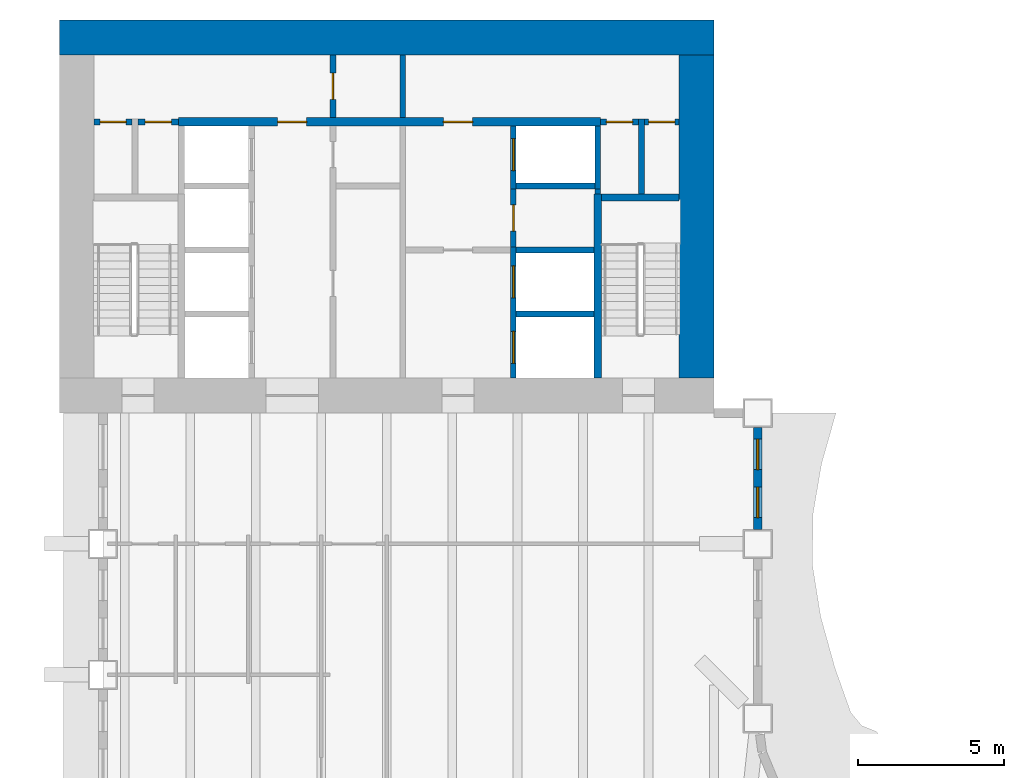
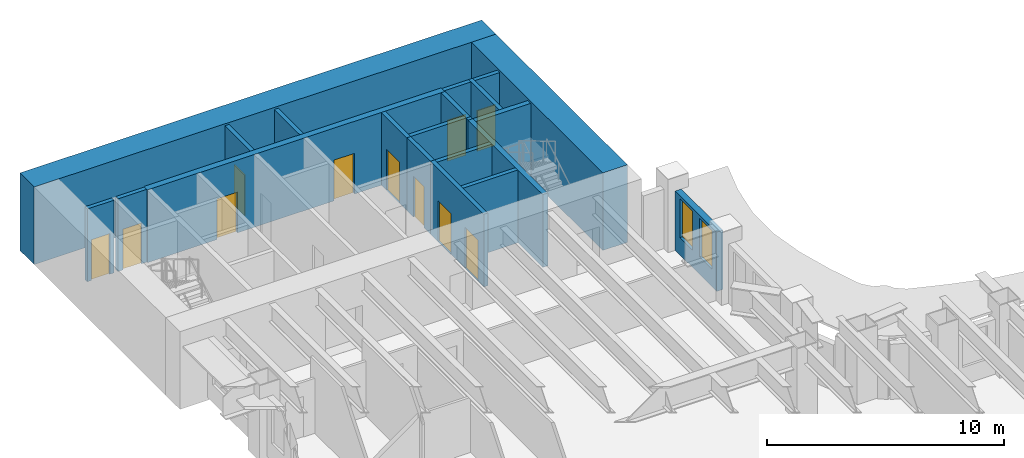
# One storey, part 9 of 16: 21 walls, 11 doors, 2 windows, 13 openings.
"""IFC4 building model written with IfcOpenShell, lengths in metres."""

import ifcopenshell
import ifcopenshell.guid

model = None  # the IFC model being written
_history = None  # IfcOwnerHistory: only IFC2X3 demands one
_inside = {}  # id of a spatial element -> (the spatial element, [elements in it])
_under = {}  # id of a project, library or spatial element -> (it, [spatial elements below it])
_declared = {}  # id of a project -> (the project, [libraries it declares])
_typed = {}  # id of a type object -> (the type object, [elements of that type])
_made_of = {}  # id of a material, layer set ... -> (it, [elements and type objects made of it])


def new_model(schema):
    """Start an empty IFC model of exactly this schema.

    Asked for "IFC4X3", IfcOpenShell would pick the latest addendum, in which some entities
    have other attributes; the version numbers below select the first issue.
    IFC2X3 requires an IfcOwnerHistory on every rooted entity: one is made here for all.
    """
    global model, _history
    if schema == "IFC4X3":
        model = ifcopenshell.file(schema_version=(4, 3, 0, 0))
    else:
        model = ifcopenshell.file(schema=schema)
    _inside.clear()
    _under.clear()
    _declared.clear()
    _typed.clear()
    _made_of.clear()
    _history = None
    if model.schema == "IFC2X3":
        org = make("IfcOrganization", Name="unknown")
        user = make(
            "IfcPersonAndOrganization",
            ThePerson=make("IfcPerson", FamilyName="unknown"),
            TheOrganization=org,
        )
        app = make(
            "IfcApplication",
            ApplicationDeveloper=org,
            Version="unknown",
            ApplicationFullName="unknown",
            ApplicationIdentifier="unknown",
        )
        _history = make(
            "IfcOwnerHistory",
            OwningUser=user,
            OwningApplication=app,
            ChangeAction="ADDED",
            CreationDate=0,
        )
    return model


def make(cls, **values):
    """One entity of the class cls with the attributes given. An attribute that is None is left unset."""
    return model.create_entity(
        cls, **{name: value for name, value in values.items() if value is not None}
    )


def rooted(cls, **values):
    """An entity with a GlobalId (a new one), such as an element, a storey or a relation."""
    return make(cls, GlobalId=ifcopenshell.guid.new(), OwnerHistory=_history, **values)


def si_unit(unit_type, name, prefix=None):
    """IfcSIUnit, for example si_unit("LENGTHUNIT", "METRE", prefix="MILLI")."""
    return make("IfcSIUnit", UnitType=unit_type, Prefix=prefix, Name=name)


def assignment(units):
    """IfcUnitAssignment: the units of a project."""
    return None if units is None else make("IfcUnitAssignment", Units=units)


def point(xyz):
    """IfcCartesianPoint."""
    return None if xyz is None else make("IfcCartesianPoint", Coordinates=xyz)


def direction(xyz):
    """IfcDirection."""
    return None if xyz is None else make("IfcDirection", DirectionRatios=xyz)


def frame(location, z_axis=None, x_axis=None):
    """IfcAxis2Placement3D, a coordinate frame: its origin and axes. An axis left out is left unset."""
    return make(
        "IfcAxis2Placement3D",
        Location=point(location),
        Axis=direction(z_axis),
        RefDirection=direction(x_axis),
    )


def frame_2d(location, x_axis=None):
    """IfcAxis2Placement2D, a coordinate frame in the plane: its origin and x axis."""
    return make(
        "IfcAxis2Placement2D", Location=point(location), RefDirection=direction(x_axis)
    )


def origin():
    """The frame at (0, 0, 0) with its axes left unset."""
    return frame((0.0, 0.0, 0.0))


def place(relative_to, where):
    """IfcLocalPlacement: puts the frame where relative to a parent placement (None: the world)."""
    return make(
        "IfcLocalPlacement", PlacementRelTo=relative_to, RelativePlacement=where
    )


def context(
    kind, dimensions, precision=None, world=None, true_north=None, identifier=None
):
    """IfcGeometricRepresentationContext, for example the 3D "Model" context."""
    return make(
        "IfcGeometricRepresentationContext",
        ContextIdentifier=identifier,
        ContextType=kind,
        CoordinateSpaceDimension=dimensions,
        Precision=precision,
        WorldCoordinateSystem=world,
        TrueNorth=true_north,
    )


def subcontext(parent, identifier, kind, view, scale=None):
    """IfcGeometricRepresentationSubContext, for example "Body" below "Model"."""
    return make(
        "IfcGeometricRepresentationSubContext",
        ContextIdentifier=identifier,
        ContextType=kind,
        ParentContext=parent,
        TargetScale=scale,
        TargetView=view,
    )


def project(units=None, contexts=None):
    """IfcProject with its units and contexts."""
    return rooted(
        "IfcProject",
        Name="project",
        RepresentationContexts=contexts,
        UnitsInContext=assignment(units),
    )


def spatial(cls, under=None, at=None, **own):
    """A site, building, storey or space (cls), placed at a placement, below another one or the project."""
    s = rooted(cls, ObjectPlacement=at, **own)
    if under is not None:
        _under.setdefault(under.id(), (under, []))[1].append(s)
    return s


def profile(cls, at=None, kind="AREA", **sizes):
    """A parametric profile (cls). Its sizes go by their IFC names, for example OverallWidth=200.0."""
    return make(cls, ProfileType=kind, Position=at, **sizes)


def rectangle(**sizes):
    """IfcRectangleProfileDef."""
    return profile("IfcRectangleProfileDef", **sizes)


def extrude(swept, where, along, depth):
    """IfcExtrudedAreaSolid: the profile swept, set in the frame where, extruded along a direction by depth."""
    return make(
        "IfcExtrudedAreaSolid",
        SweptArea=swept,
        Position=where,
        ExtrudedDirection=direction(along),
        Depth=depth,
    )


def shape(context_of_items, identifier, shape_type, items):
    """IfcShapeRepresentation: the items that make up one representation, for example the "Body"."""
    return make(
        "IfcShapeRepresentation",
        ContextOfItems=context_of_items,
        RepresentationIdentifier=identifier,
        RepresentationType=shape_type,
        Items=items,
    )


def material(Name=None, Category=None):
    """IfcMaterial."""
    return make("IfcMaterial", Name=Name, Category=Category)


def layer(
    of_material, thickness, ventilated=None, Name=None, Category=None, Priority=None
):
    """IfcMaterialLayer: one layer of a wall or slab, of a material (None: an air gap)."""
    return make(
        "IfcMaterialLayer",
        Material=of_material,
        LayerThickness=thickness,
        IsVentilated=ventilated,
        Name=Name,
        Category=Category,
        Priority=Priority,
    )


def layer_set(layers, Name=None):
    """IfcMaterialLayerSet."""
    return make("IfcMaterialLayerSet", MaterialLayers=layers, LayerSetName=Name)


def made_of(thing, what):
    """Note that an element or type object is made of a material, layer set ...; save() writes the relation."""
    if what is not None:
        _made_of.setdefault(what.id(), (what, []))[1].append(thing)
    return thing


def type_object(cls, material=None, **own):
    """A type object (cls), such as IfcWallType, which elements share."""
    return made_of(rooted(cls, **own), material)


def element(
    cls,
    number,
    at=None,
    inside=None,
    cuts=None,
    type_object=None,
    material=None,
    context=None,
    identifier="Body",
    shape_type=None,
    held_by="IfcProductDefinitionShape",
    body=None,
    shapes=None,
    **own,
):
    """One element of the class cls, such as IfcWall. Its Tag is "e" and its number.

    at: its placement. inside: the storey or other place that contains it. cuts: it is an
    opening in that element (IfcRelVoidsElement). A single representation is given by context,
    identifier, shape_type and body (its items); several are given by shapes. held_by: the class
    of the entity that holds the representations. save() writes the other relations.
    """
    e = rooted(cls, Tag="e%d" % number, ObjectPlacement=at, **own)
    if body is not None:
        shapes = [shape(context, identifier, shape_type, body)]
    if shapes is not None:
        e.Representation = make(held_by, Representations=shapes)
    if inside is not None:
        _inside.setdefault(inside.id(), (inside, []))[1].append(e)
    if cuts is not None:
        rooted(
            "IfcRelVoidsElement", RelatingBuildingElement=cuts, RelatedOpeningElement=e
        )
    if type_object is not None:
        _typed.setdefault(type_object.id(), (type_object, []))[1].append(e)
    return made_of(e, material)


def fill(opening, filler):
    """IfcRelFillsElement: the door or window that sits in an opening."""
    return rooted(
        "IfcRelFillsElement",
        RelatingOpeningElement=opening,
        RelatedBuildingElement=filler,
    )


def aggregate(whole, parts):
    """IfcRelAggregates: a whole, such as a stair, and the parts it consists of."""
    return rooted("IfcRelAggregates", RelatingObject=whole, RelatedObjects=parts)


def save(model, path):
    """Write the relations noted so far, then the file.

    IfcRelAggregates (storeys below a building ...), IfcRelContainedInSpatialStructure (elements
    in a storey), IfcRelDefinesByType, IfcRelAssociatesMaterial and IfcRelDeclares: one each for
    every whole, place, type object, material and project.
    """
    for whole, parts in _under.values():
        aggregate(whole, parts)
    for where, things in _inside.values():
        rooted(
            "IfcRelContainedInSpatialStructure",
            RelatedElements=things,
            RelatingStructure=where,
        )
    for kind, things in _typed.values():
        rooted("IfcRelDefinesByType", RelatedObjects=things, RelatingType=kind)
    for what, things in _made_of.values():
        rooted("IfcRelAssociatesMaterial", RelatedObjects=things, RelatingMaterial=what)
    for by, libraries in _declared.values():
        rooted("IfcRelDeclares", RelatingContext=by, RelatedDefinitions=libraries)
    model.write(path)


model = new_model("IFC4")

# Units and contexts
model_context = context("Model", 3, precision=1e-05, world=origin(), true_north=direction((0.0, 1.0)))
body_context = subcontext(model_context, "Body", "Model", "MODEL_VIEW")
ifc_project = project(units=[si_unit("LENGTHUNIT", "METRE"), si_unit("AREAUNIT", "SQUARE_METRE"), si_unit("VOLUMEUNIT", "CUBIC_METRE"), si_unit("PLANEANGLEUNIT", "RADIAN"), si_unit("MASSUNIT", "GRAM", prefix="KILO")], contexts=[model_context])

# Site, building, storey
site_placement = place(None, origin())
site = spatial("IfcSite", under=ifc_project, at=site_placement, CompositionType="ELEMENT")
building_placement = place(site_placement, origin())
building = spatial("IfcBuilding", under=site, at=building_placement, Name="Sennacour Bend Tower", CompositionType="ELEMENT")
storey_placement = place(building_placement, frame((0.0, 0.0, 127.0)))
storey = spatial("IfcBuildingStorey", under=building, at=storey_placement, Name="L29", CompositionType="ELEMENT", Elevation=127.0)

# Walls
ifc_material_1 = material(Name="Concrete C80/95", Category="concrete")
ifc_layer_1 = layer(ifc_material_1, 1.199951171875, Name="Concrete C80/95", Category="concrete")
ifc_layer_set_1 = layer_set([ifc_layer_1], Name="Concrete C80/95")
wall_type_1 = type_object("IfcWallType", Name="Core wall 1200 C80/95", PredefinedType="SHEAR", material=ifc_layer_set_1)
wall_1_placement = place(storey_placement, frame((0.0, 48.89990234375, -0.14990234375), z_axis=(0.0, 0.0, 1.0), x_axis=(1.0, 0.0, 0.0)))
element("IfcWall", 1, at=wall_1_placement, inside=storey, type_object=wall_type_1, Name="Core B wall L29 N", PredefinedType="SHEAR", context=body_context, shape_type="SweptSolid", body=[
    extrude(rectangle(XDim=22.5, YDim=1.199951171875, at=frame_2d((11.25, 0.0))), origin(), (0.0, 0.0, 1.0), 4.0),
])
wall_2_placement = place(storey_placement, frame((21.89990234375, 37.199951171875, -0.14990234375), z_axis=(0.0, 0.0, 1.0), x_axis=(0.0, 1.0, 0.0)))
element("IfcWall", 2, at=wall_2_placement, inside=storey, type_object=wall_type_1, Name="Core B wall L29 E", PredefinedType="SHEAR", context=body_context, shape_type="SweptSolid", body=[
    extrude(rectangle(XDim=11.10009765625, YDim=1.199951171875, at=frame_2d((5.550048828125, 0.0))), origin(), (0.0, 0.0, 1.0), 4.0),
])

# Wall, opening, door
ifc_material_2 = material(Name="Fire-rated plasterboard partition on steel studs", Category="steel")
ifc_layer_2 = layer(ifc_material_2, 0.199951171875, Name="Fire-rated plasterboard partition on steel studs", Category="steel")
ifc_layer_set_2 = layer_set([ifc_layer_2], Name="Fire-rated plasterboard partition on steel studs")
wall_type_2 = type_object("IfcWallType", Name="Rated partition 200", PredefinedType="PARTITIONING", material=ifc_layer_set_2)
wall_3_placement = place(storey_placement, frame((9.39990234375, 46.14990234375, 0.0), z_axis=(0.0, 0.0, 1.0), x_axis=(0.0, 1.0, 0.0)))
wall_3 = element("IfcWall", 3, at=wall_3_placement, inside=storey, type_object=wall_type_2, Name="P-L29-W012b", PredefinedType="PARTITIONING", context=body_context, shape_type="SweptSolid", body=[
    extrude(rectangle(XDim=2.150146484375, YDim=0.199951171875, at=frame_2d((1.0751953125, 0.0))), origin(), (0.0, 0.0, 1.0), 3.75),
])
opening_1_placement = place(wall_3_placement, frame((0.625, 0.0, 0.0)))
opening_1 = element("IfcOpeningElement", 4, at=opening_1_placement, cuts=wall_3, Name="Opening SV", PredefinedType="OPENING", context=body_context, shape_type="SweptSolid", body=[
    extrude(rectangle(XDim=0.89990234375, YDim=2.10009765625, at=frame_2d((0.449951171875, 1.050048828125))), frame((0.0, 0.10986328125, 0.0), z_axis=(0.0, -1.0, 0.0), x_axis=(1.0, 0.0, 0.0)), (0.0, 0.0, 1.0), 0.219970703125),
])
ifc_material_3 = material(Name="Painted steel", Category="steel")
door_type_1 = type_object("IfcDoorType", Name="DR-SERVICE-900", OperationType="NOTDEFINED", PredefinedType="DOOR", material=ifc_material_3)
door_1_placement = place(opening_1_placement, origin())
door_1 = element("IfcDoor", 5, at=door_1_placement, inside=storey, type_object=door_type_1, Name="Door", OperationType="SINGLE_SWING_LEFT", OverallHeight=2.10009765625, OverallWidth=0.89990234375, PredefinedType="DOOR", context=body_context, shape_type="SweptSolid", body=[
    extrude(rectangle(XDim=0.89990234375, YDim=2.10009765625, at=frame_2d((0.449951171875, 1.050048828125))), frame((0.0, 0.02490234375, 0.0), z_axis=(0.0, -1.0, 0.0), x_axis=(1.0, 0.0, 0.0)), (0.0, 0.0, 1.0), 0.050048828125),
])
fill(opening_1, door_1)

# Wall
wall_4_placement = place(storey_placement, frame((11.800048828125, 46.14990234375, 0.0), z_axis=(0.0, 0.0, 1.0), x_axis=(0.0, 1.0, 0.0)))
element("IfcWall", 6, at=wall_4_placement, inside=storey, type_object=wall_type_2, Name="P-L29-W014b", PredefinedType="PARTITIONING", context=body_context, shape_type="SweptSolid", body=[
    extrude(rectangle(XDim=2.150146484375, YDim=0.199951171875, at=frame_2d((1.0751953125, 0.0))), origin(), (0.0, 0.0, 1.0), 3.75),
])

# Wall, opening, door
wall_5_placement = place(storey_placement, frame((15.60009765625, 41.699951171875, 0.0), z_axis=(0.0, 0.0, 1.0), x_axis=(0.0, 1.0, 0.0)))
wall_5 = element("IfcWall", 7, at=wall_5_placement, inside=storey, type_object=wall_type_2, Name="P-L29-W017", PredefinedType="PARTITIONING", context=body_context, shape_type="SweptSolid", body=[
    extrude(rectangle(XDim=2.0, YDim=0.199951171875, at=frame_2d((1.0, 0.0))), origin(), (0.0, 0.0, 1.0), 3.75),
])
opening_2_placement = place(wall_5_placement, frame((0.550048828125, 0.0, 0.0)))
opening_2 = element("IfcOpeningElement", 8, at=opening_2_placement, cuts=wall_5, Name="Opening SV", PredefinedType="OPENING", context=body_context, shape_type="SweptSolid", body=[
    extrude(rectangle(XDim=0.89990234375, YDim=2.10009765625, at=frame_2d((0.449951171875, 1.050048828125))), frame((0.0, 0.10986328125, 0.0), z_axis=(0.0, -1.0, 0.0), x_axis=(1.0, 0.0, 0.0)), (0.0, 0.0, 1.0), 0.219970703125),
])
door_2_placement = place(opening_2_placement, origin())
door_2 = element("IfcDoor", 9, at=door_2_placement, inside=storey, type_object=door_type_1, Name="Door", OperationType="SINGLE_SWING_RIGHT", OverallHeight=2.10009765625, OverallWidth=0.89990234375, PredefinedType="DOOR", context=body_context, shape_type="SweptSolid", body=[
    extrude(rectangle(XDim=0.89990234375, YDim=2.10009765625, at=frame_2d((0.449951171875, 1.050048828125))), frame((0.0, 0.02490234375, 0.0), z_axis=(0.0, -1.0, 0.0), x_axis=(1.0, 0.0, 0.0)), (0.0, 0.0, 1.0), 0.050048828125),
])
fill(opening_2, door_2)

# Walls
wall_6_placement = place(storey_placement, frame((18.5, 43.52490234375, 0.0), z_axis=(0.0, 0.0, 1.0), x_axis=(0.0, 1.0, 0.0)))
element("IfcWall", 10, at=wall_6_placement, inside=storey, type_object=wall_type_2, Name="P-L29-W020", PredefinedType="PARTITIONING", context=body_context, shape_type="SweptSolid", body=[
    extrude(rectangle(XDim=0.175048828125, YDim=0.199951171875, at=frame_2d((0.08740234375, 0.0))), origin(), (0.0, 0.0, 1.0), 3.75),
])
wall_7_placement = place(storey_placement, frame((20.0, 43.52490234375, 0.0), z_axis=(0.0, 0.0, 1.0), x_axis=(0.0, 1.0, 0.0)))
element("IfcWall", 11, at=wall_7_placement, inside=storey, type_object=wall_type_2, Name="P-L29-W022", PredefinedType="PARTITIONING", context=body_context, shape_type="SweptSolid", body=[
    extrude(rectangle(XDim=2.5751953125, YDim=0.199951171875, at=frame_2d((1.28759765625, 0.0))), origin(), (0.0, 0.0, 1.0), 3.75),
])

# Wall, opening, door
wall_8_placement = place(storey_placement, frame((1.199951171875, 46.0, 0.0), z_axis=(0.0, 0.0, 1.0), x_axis=(1.0, 0.0, 0.0)))
wall_8 = element("IfcWall", 12, at=wall_8_placement, inside=storey, type_object=wall_type_2, Name="P-L29-W086a", PredefinedType="PARTITIONING", context=body_context, shape_type="SweptSolid", body=[
    extrude(rectangle(XDim=1.300048828125, YDim=0.199951171875, at=frame_2d((0.64990234375, 0.0))), origin(), (0.0, 0.0, 1.0), 3.75),
])
opening_3_placement = place(wall_8_placement, frame((0.199951171875, 0.0, 0.0)))
opening_3 = element("IfcOpeningElement", 13, at=opening_3_placement, cuts=wall_8, Name="Opening SV", PredefinedType="OPENING", context=body_context, shape_type="SweptSolid", body=[
    extrude(rectangle(XDim=0.89990234375, YDim=2.10009765625, at=frame_2d((0.449951171875, 1.050048828125))), frame((0.0, 0.10986328125, 0.0), z_axis=(0.0, -1.0, 0.0), x_axis=(1.0, 0.0, 0.0)), (0.0, 0.0, 1.0), 0.219970703125),
])
door_3_placement = place(opening_3_placement, origin())
door_3 = element("IfcDoor", 14, at=door_3_placement, inside=storey, type_object=door_type_1, Name="Door", OperationType="SINGLE_SWING_LEFT", OverallHeight=2.10009765625, OverallWidth=0.89990234375, PredefinedType="DOOR", context=body_context, shape_type="SweptSolid", body=[
    extrude(rectangle(XDim=0.89990234375, YDim=2.10009765625, at=frame_2d((0.449951171875, 1.050048828125))), frame((0.0, 0.02490234375, 0.0), z_axis=(0.0, -1.0, 0.0), x_axis=(1.0, 0.0, 0.0)), (0.0, 0.0, 1.0), 0.050048828125),
])
fill(opening_3, door_3)

wall_9_placement = place(storey_placement, frame((2.699951171875, 46.0, 0.0), z_axis=(0.0, 0.0, 1.0), x_axis=(1.0, 0.0, 0.0)))
wall_9 = element("IfcWall", 15, at=wall_9_placement, inside=storey, type_object=wall_type_2, Name="P-L29-W086b", PredefinedType="PARTITIONING", context=body_context, shape_type="SweptSolid", body=[
    extrude(rectangle(XDim=1.400146484375, YDim=0.199951171875, at=frame_2d((0.7001953125, 0.0))), origin(), (0.0, 0.0, 1.0), 3.75),
])
opening_4_placement = place(wall_9_placement, frame((0.25, 0.0, 0.0)))
opening_4 = element("IfcOpeningElement", 16, at=opening_4_placement, cuts=wall_9, Name="Opening WD", PredefinedType="OPENING", context=body_context, shape_type="SweptSolid", body=[
    extrude(rectangle(XDim=0.89990234375, YDim=2.10009765625, at=frame_2d((0.449951171875, 1.050048828125))), frame((0.0, 0.10986328125, 0.0), z_axis=(0.0, -1.0, 0.0), x_axis=(1.0, 0.0, 0.0)), (0.0, 0.0, 1.0), 0.219970703125),
])
ifc_material_4 = material(Name="Timber", Category="wood")
door_type_2 = type_object("IfcDoorType", Name="DR-WC-900", OperationType="NOTDEFINED", PredefinedType="DOOR", material=ifc_material_4)
door_4_placement = place(opening_4_placement, origin())
door_4 = element("IfcDoor", 17, at=door_4_placement, inside=storey, type_object=door_type_2, Name="Door", OperationType="SINGLE_SWING_LEFT", OverallHeight=2.10009765625, OverallWidth=0.89990234375, PredefinedType="DOOR", context=body_context, shape_type="SweptSolid", body=[
    extrude(rectangle(XDim=0.89990234375, YDim=2.10009765625, at=frame_2d((0.449951171875, 1.050048828125))), frame((0.0, 0.02490234375, 0.0), z_axis=(0.0, -1.0, 0.0), x_axis=(1.0, 0.0, 0.0)), (0.0, 0.0, 1.0), 0.050048828125),
])
fill(opening_4, door_4)

wall_10_placement = place(storey_placement, frame((18.60009765625, 46.0, 0.0), z_axis=(0.0, 0.0, 1.0), x_axis=(1.0, 0.0, 0.0)))
wall_10 = element("IfcWall", 18, at=wall_10_placement, inside=storey, type_object=wall_type_2, Name="P-L29-W088a", PredefinedType="PARTITIONING", context=body_context, shape_type="SweptSolid", body=[
    extrude(rectangle(XDim=1.2998046875, YDim=0.199951171875, at=frame_2d((0.64990234375, 0.0))), origin(), (0.0, 0.0, 1.0), 3.75),
])
opening_5_placement = place(wall_10_placement, frame((0.199951171875, 0.0, 0.0)))
opening_5 = element("IfcOpeningElement", 19, at=opening_5_placement, cuts=wall_10, Name="Opening SV", PredefinedType="OPENING", context=body_context, shape_type="SweptSolid", body=[
    extrude(rectangle(XDim=0.89990234375, YDim=2.10009765625, at=frame_2d((0.449951171875, 1.050048828125))), frame((0.0, 0.10986328125, 0.0), z_axis=(0.0, -1.0, 0.0), x_axis=(1.0, 0.0, 0.0)), (0.0, 0.0, 1.0), 0.219970703125),
])
door_5_placement = place(opening_5_placement, origin())
door_5 = element("IfcDoor", 20, at=door_5_placement, inside=storey, type_object=door_type_1, Name="Door", OperationType="SINGLE_SWING_LEFT", OverallHeight=2.10009765625, OverallWidth=0.89990234375, PredefinedType="DOOR", context=body_context, shape_type="SweptSolid", body=[
    extrude(rectangle(XDim=0.89990234375, YDim=2.10009765625, at=frame_2d((0.449951171875, 1.050048828125))), frame((0.0, 0.02490234375, 0.0), z_axis=(0.0, -1.0, 0.0), x_axis=(1.0, 0.0, 0.0)), (0.0, 0.0, 1.0), 0.050048828125),
])
fill(opening_5, door_5)

wall_11_placement = place(storey_placement, frame((20.10009765625, 46.0, 0.0), z_axis=(0.0, 0.0, 1.0), x_axis=(1.0, 0.0, 0.0)))
wall_11 = element("IfcWall", 21, at=wall_11_placement, inside=storey, type_object=wall_type_2, Name="P-L29-W088b", PredefinedType="PARTITIONING", context=body_context, shape_type="SweptSolid", body=[
    extrude(rectangle(XDim=1.199951171875, YDim=0.199951171875, at=frame_2d((0.60009765625, 0.0))), origin(), (0.0, 0.0, 1.0), 3.75),
])
opening_6_placement = place(wall_11_placement, frame((0.14990234375, 0.0, 0.0)))
opening_6 = element("IfcOpeningElement", 22, at=opening_6_placement, cuts=wall_11, Name="Opening SV", PredefinedType="OPENING", context=body_context, shape_type="SweptSolid", body=[
    extrude(rectangle(XDim=0.89990234375, YDim=2.10009765625, at=frame_2d((0.449951171875, 1.050048828125))), frame((0.0, 0.10986328125, 0.0), z_axis=(0.0, -1.0, 0.0), x_axis=(1.0, 0.0, 0.0)), (0.0, 0.0, 1.0), 0.219970703125),
])
door_6_placement = place(opening_6_placement, origin())
door_6 = element("IfcDoor", 23, at=door_6_placement, inside=storey, type_object=door_type_1, Name="Door", OperationType="SINGLE_SWING_LEFT", OverallHeight=2.10009765625, OverallWidth=0.89990234375, PredefinedType="DOOR", context=body_context, shape_type="SweptSolid", body=[
    extrude(rectangle(XDim=0.89990234375, YDim=2.10009765625, at=frame_2d((0.449951171875, 1.050048828125))), frame((0.0, 0.02490234375, 0.0), z_axis=(0.0, -1.0, 0.0), x_axis=(1.0, 0.0, 0.0)), (0.0, 0.0, 1.0), 0.050048828125),
])
fill(opening_6, door_6)

# Wall, openings, windows
ifc_material_5 = material(Name="Warm limestone cladding", Category="masonry")
ifc_layer_3 = layer(ifc_material_5, 0.050048828125, Name="Warm limestone cladding", Category="masonry")
ifc_material_6 = material(Name="Precast concrete C40/50", Category="concrete")
ifc_layer_4 = layer(ifc_material_6, 0.25, Name="Precast concrete C40/50", Category="concrete")
ifc_layer_set_3 = layer_set([ifc_layer_3, ifc_layer_4], Name="Precast concrete C40/50 with limestone cladding")
wall_type_3 = type_object("IfcWallType", Name="STONE-CLAD PRECAST SPANDREL 300", PredefinedType="STANDARD", material=ifc_layer_set_3)
wall_12_placement = place(storey_placement, frame((24.0, 32.0, 0.0), z_axis=(0.0, 0.0, 1.0), x_axis=(0.0, 1.0, 0.0)))
wall_12 = element("IfcWall", 24, at=wall_12_placement, inside=storey, type_object=wall_type_3, Name="Stone spandrel and pier wall L29 13.01", PredefinedType="STANDARD", context=body_context, shape_type="SweptSolid", body=[
    extrude(rectangle(XDim=3.5, YDim=0.300048828125, at=frame_2d((1.75, 0.0))), origin(), (0.0, 0.0, 1.0), 3.053955078125),
])
opening_7_placement = place(wall_12_placement, frame((0.39990234375, 0.0, 0.89990234375)))
opening_7 = element("IfcOpeningElement", 25, at=opening_7_placement, cuts=wall_12, Name="Opening W13", PredefinedType="OPENING", context=body_context, shape_type="SweptSolid", body=[
    extrude(rectangle(XDim=1.050048828125, YDim=2.0, at=frame_2d((0.52490234375, 1.0))), frame((0.0, 0.16015625, 0.0), z_axis=(0.0, -1.0, 0.0), x_axis=(1.0, 0.0, 0.0)), (0.0, 0.0, 1.0), 0.320068359375),
])
opening_8_placement = place(wall_12_placement, frame((2.050048828125, 0.0, 0.89990234375)))
opening_8 = element("IfcOpeningElement", 26, at=opening_8_placement, cuts=wall_12, Name="Opening W13", PredefinedType="OPENING", context=body_context, shape_type="SweptSolid", body=[
    extrude(rectangle(XDim=1.050048828125, YDim=2.0, at=frame_2d((0.52490234375, 1.0))), frame((0.0, 0.16015625, 0.0), z_axis=(0.0, -1.0, 0.0), x_axis=(1.0, 0.0, 0.0)), (0.0, 0.0, 1.0), 0.320068359375),
])
ifc_material_7 = material(Name="Clear low-emissivity glass", Category="glass")
window_type = type_object("IfcWindowType", Name="WIN-RIBBON-1050x2000", PartitioningType="SINGLE_PANEL", PredefinedType="WINDOW", material=ifc_material_7)
window_1_placement = place(opening_7_placement, origin())
window_1 = element("IfcWindow", 27, at=window_1_placement, inside=storey, type_object=window_type, Name="Ribbon window L29 13.01.0", OverallHeight=2.0, OverallWidth=1.050048828125, PartitioningType="SINGLE_PANEL", PredefinedType="WINDOW", context=body_context, shape_type="SweptSolid", body=[
    extrude(rectangle(XDim=1.050048828125, YDim=2.0, at=frame_2d((0.52490234375, 1.0))), frame((0.0, 0.030029296875, 0.0), z_axis=(0.0, -1.0, 0.0), x_axis=(1.0, 0.0, 0.0)), (0.0, 0.0, 1.0), 0.06005859375),
])
fill(opening_7, window_1)
window_2_placement = place(opening_8_placement, origin())
window_2 = element("IfcWindow", 28, at=window_2_placement, inside=storey, type_object=window_type, Name="Ribbon window L29 13.01.1", OverallHeight=2.0, OverallWidth=1.050048828125, PartitioningType="SINGLE_PANEL", PredefinedType="WINDOW", context=body_context, shape_type="SweptSolid", body=[
    extrude(rectangle(XDim=1.050048828125, YDim=2.0, at=frame_2d((0.52490234375, 1.0))), frame((0.0, 0.030029296875, 0.0), z_axis=(0.0, -1.0, 0.0), x_axis=(1.0, 0.0, 0.0)), (0.0, 0.0, 1.0), 0.06005859375),
])
fill(opening_8, window_2)

# Wall, openings, doors
ifc_material_8 = material(Name="Concrete C50/60", Category="concrete")
ifc_layer_5 = layer(ifc_material_8, 0.199951171875, Name="Concrete C50/60", Category="concrete")
ifc_layer_set_4 = layer_set([ifc_layer_5], Name="Concrete C50/60")
wall_type_4 = type_object("IfcWallType", Name="Shaft wall 200", PredefinedType="SOLIDWALL", material=ifc_layer_set_4)
wall_13_placement = place(storey_placement, frame((15.60009765625, 37.199951171875, 0.0), z_axis=(0.0, 0.0, 1.0), x_axis=(0.0, 1.0, 0.0)))
wall_13 = element("IfcWall", 29, at=wall_13_placement, inside=storey, type_object=wall_type_4, Name="P-L29-W016", PredefinedType="SOLIDWALL", context=body_context, shape_type="SweptSolid", body=[
    extrude(rectangle(XDim=4.5, YDim=0.199951171875, at=frame_2d((2.25, 0.0))), origin(), (0.0, 0.0, 1.0), 3.75),
])
opening_9_placement = place(wall_13_placement, frame((0.5, 0.0, 0.011962890625)))
opening_9 = element("IfcOpeningElement", 30, at=opening_9_placement, cuts=wall_13, Name="Opening FLD", PredefinedType="OPENING", context=body_context, shape_type="SweptSolid", body=[
    extrude(rectangle(XDim=1.10009765625, YDim=2.10009765625, at=frame_2d((0.550048828125, 1.050048828125))), frame((0.0, 0.10986328125, 0.0), z_axis=(0.0, -1.0, 0.0), x_axis=(1.0, 0.0, 0.0)), (0.0, 0.0, 1.0), 0.219970703125),
])
opening_10_placement = place(wall_13_placement, frame((2.75, 0.0, 0.011962890625)))
opening_10 = element("IfcOpeningElement", 31, at=opening_10_placement, cuts=wall_13, Name="Opening FLD", PredefinedType="OPENING", context=body_context, shape_type="SweptSolid", body=[
    extrude(rectangle(XDim=1.10009765625, YDim=2.10009765625, at=frame_2d((0.550048828125, 1.050048828125))), frame((0.0, 0.10986328125, 0.0), z_axis=(0.0, -1.0, 0.0), x_axis=(1.0, 0.0, 0.0)), (0.0, 0.0, 1.0), 0.219970703125),
])
ifc_material_9 = material(Name="Stainless steel", Category="steel")
door_type_3 = type_object("IfcDoorType", Name="DR-FF-LANDING-1100", OperationType="NOTDEFINED", PredefinedType="DOOR", material=ifc_material_9)
door_7_placement = place(opening_9_placement, origin())
door_7 = element("IfcDoor", 32, at=door_7_placement, inside=storey, type_object=door_type_3, Name="Fire service lift landing door FB1", OperationType="SLIDING_TO_LEFT", OverallHeight=2.10009765625, OverallWidth=1.10009765625, PredefinedType="DOOR", context=body_context, shape_type="SweptSolid", body=[
    extrude(rectangle(XDim=1.10009765625, YDim=2.10009765625, at=frame_2d((0.550048828125, 1.050048828125))), frame((0.0, 0.02490234375, 0.0), z_axis=(0.0, -1.0, 0.0), x_axis=(1.0, 0.0, 0.0)), (0.0, 0.0, 1.0), 0.050048828125),
])
fill(opening_9, door_7)
door_8_placement = place(opening_10_placement, origin())
door_8 = element("IfcDoor", 33, at=door_8_placement, inside=storey, type_object=door_type_3, Name="Fire service lift landing door FB2", OperationType="SLIDING_TO_RIGHT", OverallHeight=2.10009765625, OverallWidth=1.10009765625, PredefinedType="DOOR", context=body_context, shape_type="SweptSolid", body=[
    extrude(rectangle(XDim=1.10009765625, YDim=2.10009765625, at=frame_2d((0.550048828125, 1.050048828125))), frame((0.0, 0.02490234375, 0.0), z_axis=(0.0, -1.0, 0.0), x_axis=(1.0, 0.0, 0.0)), (0.0, 0.0, 1.0), 0.050048828125),
])
fill(opening_10, door_8)

# Wall, opening, door
wall_14_placement = place(storey_placement, frame((15.60009765625, 43.699951171875, 0.0), z_axis=(0.0, 0.0, 1.0), x_axis=(0.0, 1.0, 0.0)))
wall_14 = element("IfcWall", 34, at=wall_14_placement, inside=storey, type_object=wall_type_4, Name="P-L29-W018", PredefinedType="SOLIDWALL", context=body_context, shape_type="SweptSolid", body=[
    extrude(rectangle(XDim=2.150146484375, YDim=0.199951171875, at=frame_2d((1.0751953125, 0.0))), origin(), (0.0, 0.0, 1.0), 3.75),
])
opening_11_placement = place(wall_14_placement, frame((0.625, 0.0, 0.011962890625)))
opening_11 = element("IfcOpeningElement", 35, at=opening_11_placement, cuts=wall_14, Name="Opening LD", PredefinedType="OPENING", context=body_context, shape_type="SweptSolid", body=[
    extrude(rectangle(XDim=1.10009765625, YDim=2.10009765625, at=frame_2d((0.550048828125, 1.050048828125))), frame((0.0, 0.10986328125, 0.0), z_axis=(0.0, -1.0, 0.0), x_axis=(1.0, 0.0, 0.0)), (0.0, 0.0, 1.0), 0.219970703125),
])
door_type_4 = type_object("IfcDoorType", Name="DR-LANDING-1100", OperationType="NOTDEFINED", PredefinedType="DOOR", material=ifc_material_9)
door_9_placement = place(opening_11_placement, origin())
door_9 = element("IfcDoor", 36, at=door_9_placement, inside=storey, type_object=door_type_4, Name="Lift landing door LB5", OperationType="SLIDING_TO_LEFT", OverallHeight=2.10009765625, OverallWidth=1.10009765625, PredefinedType="DOOR", context=body_context, shape_type="SweptSolid", body=[
    extrude(rectangle(XDim=1.10009765625, YDim=2.10009765625, at=frame_2d((0.550048828125, 1.050048828125))), frame((0.0, 0.02490234375, 0.0), z_axis=(0.0, -1.0, 0.0), x_axis=(1.0, 0.0, 0.0)), (0.0, 0.0, 1.0), 0.050048828125),
])
fill(opening_11, door_9)

# Walls
wall_15_placement = place(storey_placement, frame((18.5, 43.699951171875, 0.0), z_axis=(0.0, 0.0, 1.0), x_axis=(0.0, 1.0, 0.0)))
element("IfcWall", 37, at=wall_15_placement, inside=storey, type_object=wall_type_4, Name="P-L29-W021", PredefinedType="SOLIDWALL", context=body_context, shape_type="SweptSolid", body=[
    extrude(rectangle(XDim=2.150146484375, YDim=0.199951171875, at=frame_2d((1.0751953125, 0.0))), origin(), (0.0, 0.0, 1.0), 3.75),
])
for number, where, z_axis, x_axis, name in (
    (38, (15.699951171875, 39.39990234375, 0.0), (0.0, 0.0, 1.0), (1.0, 0.0, 0.0), "P-L29-W077"),
    (39, (15.699951171875, 41.60009765625, 0.0), (0.0, 0.0, 1.0), (1.0, 0.0, 0.0), "P-L29-W080"),
):
    element("IfcWall", number, at=place(storey_placement, frame(where, z_axis=z_axis, x_axis=x_axis)), inside=storey, type_object=wall_type_4, Name=name, PredefinedType="SOLIDWALL", context=body_context, shape_type="SweptSolid", body=[
        extrude(rectangle(XDim=2.675048828125, YDim=0.199951171875, at=frame_2d((1.33740234375, 0.0))), origin(), (0.0, 0.0, 1.0), 3.75),
    ])
wall_16_placement = place(storey_placement, frame((15.699951171875, 43.800048828125, 0.0), z_axis=(0.0, 0.0, 1.0), x_axis=(1.0, 0.0, 0.0)))
element("IfcWall", 40, at=wall_16_placement, inside=storey, type_object=wall_type_4, Name="P-L29-W085", PredefinedType="SOLIDWALL", context=body_context, shape_type="SweptSolid", body=[
    extrude(rectangle(XDim=2.699951171875, YDim=0.199951171875, at=frame_2d((1.35009765625, 0.0))), origin(), (0.0, 0.0, 1.0), 3.75),
])

# Wall, openings, doors
ifc_material_10 = material(Name="Concrete C60/75", Category="concrete")
ifc_layer_6 = layer(ifc_material_10, 0.300048828125, Name="Concrete C60/75", Category="concrete")
ifc_layer_set_5 = layer_set([ifc_layer_6], Name="Concrete C60/75")
wall_type_5 = type_object("IfcWallType", Name="Spine wall 300", PredefinedType="SHEAR", material=ifc_layer_set_5)
wall_17_placement = place(storey_placement, frame((4.10009765625, 46.0, 0.0), z_axis=(0.0, 0.0, 1.0), x_axis=(1.0, 0.0, 0.0)))
wall_17 = element("IfcWall", 41, at=wall_17_placement, inside=storey, type_object=wall_type_5, Name="P-L29-W087", PredefinedType="SHEAR", context=body_context, shape_type="SweptSolid", body=[
    extrude(rectangle(XDim=14.5, YDim=0.300048828125, at=frame_2d((7.25, 0.0))), origin(), (0.0, 0.0, 1.0), 3.75),
])
opening_12_placement = place(wall_17_placement, frame((3.39990234375, 0.0, 0.0)))
opening_12 = element("IfcOpeningElement", 42, at=opening_12_placement, cuts=wall_17, Name="Opening CD2", PredefinedType="OPENING", context=body_context, shape_type="SweptSolid", body=[
    extrude(rectangle(XDim=1.0, YDim=2.10009765625, at=frame_2d((0.5, 1.050048828125))), frame((0.0, 0.16015625, 0.0), z_axis=(0.0, -1.0, 0.0), x_axis=(1.0, 0.0, 0.0)), (0.0, 0.0, 1.0), 0.320068359375),
])
opening_13_placement = place(wall_17_placement, frame((9.099853515625, 0.0, 0.0)))
opening_13 = element("IfcOpeningElement", 43, at=opening_13_placement, cuts=wall_17, Name="Opening CD2", PredefinedType="OPENING", context=body_context, shape_type="SweptSolid", body=[
    extrude(rectangle(XDim=1.0, YDim=2.10009765625, at=frame_2d((0.5, 1.050048828125))), frame((0.0, 0.16015625, 0.0), z_axis=(0.0, -1.0, 0.0), x_axis=(1.0, 0.0, 0.0)), (0.0, 0.0, 1.0), 0.320068359375),
])
door_type_5 = type_object("IfcDoorType", Name="DR-LOBBY-1000", OperationType="NOTDEFINED", PredefinedType="DOOR", material=ifc_material_3)
door_10_placement = place(opening_12_placement, origin())
door_10 = element("IfcDoor", 44, at=door_10_placement, inside=storey, type_object=door_type_5, Name="Door", OperationType="SINGLE_SWING_LEFT", OverallHeight=2.10009765625, OverallWidth=1.0, PredefinedType="DOOR", context=body_context, shape_type="SweptSolid", body=[
    extrude(rectangle(XDim=1.0, YDim=2.10009765625, at=frame_2d((0.5, 1.050048828125))), frame((0.0, 0.02490234375, 0.0), z_axis=(0.0, -1.0, 0.0), x_axis=(1.0, 0.0, 0.0)), (0.0, 0.0, 1.0), 0.050048828125),
])
fill(opening_12, door_10)
door_11_placement = place(opening_13_placement, origin())
door_11 = element("IfcDoor", 45, at=door_11_placement, inside=storey, type_object=door_type_5, Name="Door", OperationType="SINGLE_SWING_RIGHT", OverallHeight=2.10009765625, OverallWidth=1.0, PredefinedType="DOOR", context=body_context, shape_type="SweptSolid", body=[
    extrude(rectangle(XDim=1.0, YDim=2.10009765625, at=frame_2d((0.5, 1.050048828125))), frame((0.0, 0.02490234375, 0.0), z_axis=(0.0, -1.0, 0.0), x_axis=(1.0, 0.0, 0.0)), (0.0, 0.0, 1.0), 0.050048828125),
])
fill(opening_13, door_11)

# Walls
ifc_layer_7 = layer(ifc_material_10, 0.25, Name="Concrete C60/75", Category="concrete")
ifc_layer_set_6 = layer_set([ifc_layer_7], Name="Concrete C60/75")
wall_type_6 = type_object("IfcWallType", Name="Stair wall 250", PredefinedType="SHEAR", material=ifc_layer_set_6)
wall_18_placement = place(storey_placement, frame((18.5, 37.199951171875, 0.0), z_axis=(0.0, 0.0, 1.0), x_axis=(0.0, 1.0, 0.0)))
element("IfcWall", 46, at=wall_18_placement, inside=storey, type_object=wall_type_6, Name="P-L29-W019", PredefinedType="SHEAR", context=body_context, shape_type="SweptSolid", body=[
    extrude(rectangle(XDim=6.324951171875, YDim=0.25, at=frame_2d((3.16259765625, 0.0))), origin(), (0.0, 0.0, 1.0), 3.75),
])
wall_19_placement = place(storey_placement, frame((18.625, 43.39990234375, 0.0), z_axis=(0.0, 0.0, 1.0), x_axis=(1.0, 0.0, 0.0)))
element("IfcWall", 47, at=wall_19_placement, inside=storey, type_object=wall_type_6, Name="P-L29-W082", PredefinedType="SHEAR", context=body_context, shape_type="SweptSolid", body=[
    extrude(rectangle(XDim=2.675048828125, YDim=0.25, at=frame_2d((1.33740234375, 0.0))), origin(), (0.0, 0.0, 1.0), 3.75),
])

save(model, "model.ifc")
